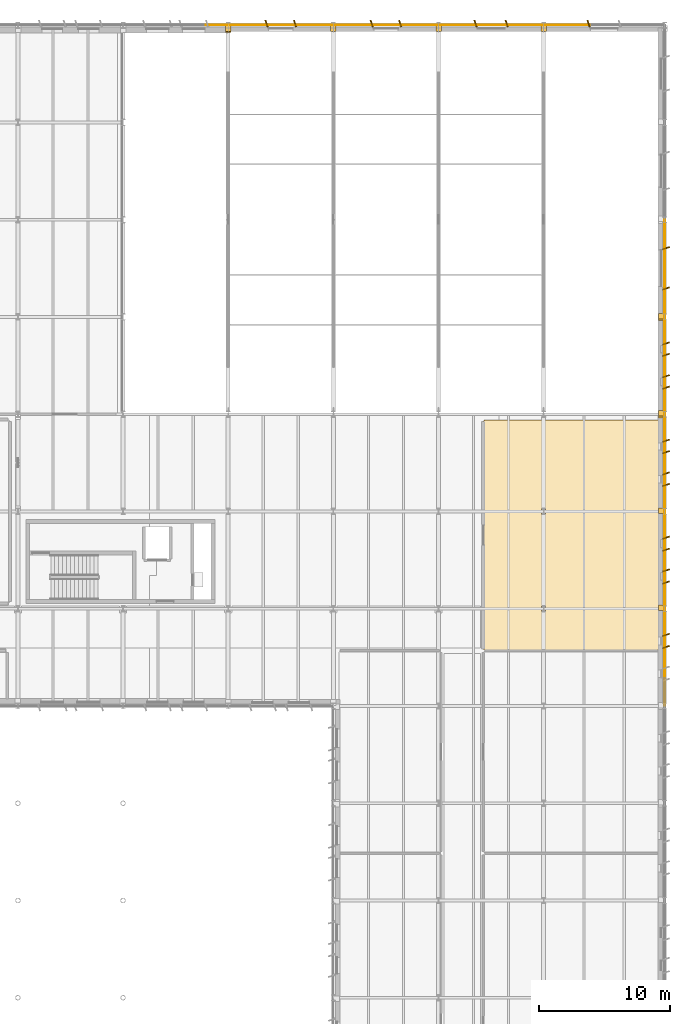
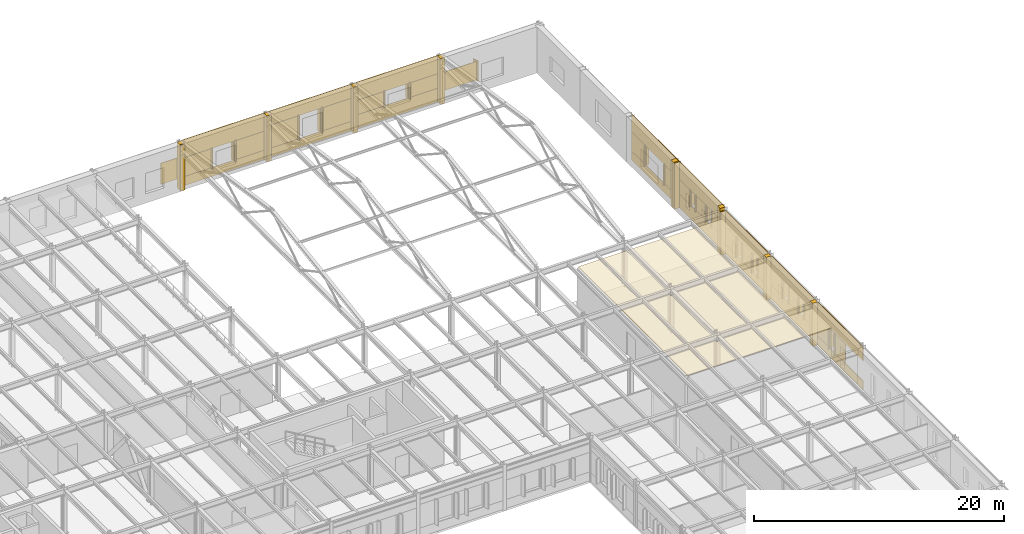
# One storey, part 74 of 75: 72 coverings.
"""IFC4 building model written with IfcOpenShell, lengths in metres."""

import ifcopenshell
import ifcopenshell.guid

model = None  # the IFC model being written
_history = None  # IfcOwnerHistory: only IFC2X3 demands one
_inside = {}  # id of a spatial element -> (the spatial element, [elements in it])
_under = {}  # id of a project, library or spatial element -> (it, [spatial elements below it])
_declared = {}  # id of a project -> (the project, [libraries it declares])
_typed = {}  # id of a type object -> (the type object, [elements of that type])
_made_of = {}  # id of a material, layer set ... -> (it, [elements and type objects made of it])


def new_model(schema):
    """Start an empty IFC model of exactly this schema.

    Asked for "IFC4X3", IfcOpenShell would pick the latest addendum, in which some entities
    have other attributes; the version numbers below select the first issue.
    IFC2X3 requires an IfcOwnerHistory on every rooted entity: one is made here for all.
    """
    global model, _history
    if schema == "IFC4X3":
        model = ifcopenshell.file(schema_version=(4, 3, 0, 0))
    else:
        model = ifcopenshell.file(schema=schema)
    _inside.clear()
    _under.clear()
    _declared.clear()
    _typed.clear()
    _made_of.clear()
    _history = None
    if model.schema == "IFC2X3":
        org = make("IfcOrganization", Name="unknown")
        user = make(
            "IfcPersonAndOrganization",
            ThePerson=make("IfcPerson", FamilyName="unknown"),
            TheOrganization=org,
        )
        app = make(
            "IfcApplication",
            ApplicationDeveloper=org,
            Version="unknown",
            ApplicationFullName="unknown",
            ApplicationIdentifier="unknown",
        )
        _history = make(
            "IfcOwnerHistory",
            OwningUser=user,
            OwningApplication=app,
            ChangeAction="ADDED",
            CreationDate=0,
        )
    return model


def make(cls, **values):
    """One entity of the class cls with the attributes given. An attribute that is None is left unset."""
    return model.create_entity(
        cls, **{name: value for name, value in values.items() if value is not None}
    )


def rooted(cls, **values):
    """An entity with a GlobalId (a new one), such as an element, a storey or a relation."""
    return make(cls, GlobalId=ifcopenshell.guid.new(), OwnerHistory=_history, **values)


def si_unit(unit_type, name, prefix=None):
    """IfcSIUnit, for example si_unit("LENGTHUNIT", "METRE", prefix="MILLI")."""
    return make("IfcSIUnit", UnitType=unit_type, Prefix=prefix, Name=name)


def assignment(units):
    """IfcUnitAssignment: the units of a project."""
    return None if units is None else make("IfcUnitAssignment", Units=units)


def point(xyz):
    """IfcCartesianPoint."""
    return None if xyz is None else make("IfcCartesianPoint", Coordinates=xyz)


def direction(xyz):
    """IfcDirection."""
    return None if xyz is None else make("IfcDirection", DirectionRatios=xyz)


def frame(location, z_axis=None, x_axis=None):
    """IfcAxis2Placement3D, a coordinate frame: its origin and axes. An axis left out is left unset."""
    return make(
        "IfcAxis2Placement3D",
        Location=point(location),
        Axis=direction(z_axis),
        RefDirection=direction(x_axis),
    )


def frame_2d(location, x_axis=None):
    """IfcAxis2Placement2D, a coordinate frame in the plane: its origin and x axis."""
    return make(
        "IfcAxis2Placement2D", Location=point(location), RefDirection=direction(x_axis)
    )


def origin():
    """The frame at (0, 0, 0) with its axes left unset."""
    return frame((0.0, 0.0, 0.0))


def origin_2d():
    """The frame at (0, 0) in the plane with its x axis left unset."""
    return frame_2d((0.0, 0.0))


def place(relative_to, where):
    """IfcLocalPlacement: puts the frame where relative to a parent placement (None: the world)."""
    return make(
        "IfcLocalPlacement", PlacementRelTo=relative_to, RelativePlacement=where
    )


def context(
    kind, dimensions, precision=None, world=None, true_north=None, identifier=None
):
    """IfcGeometricRepresentationContext, for example the 3D "Model" context."""
    return make(
        "IfcGeometricRepresentationContext",
        ContextIdentifier=identifier,
        ContextType=kind,
        CoordinateSpaceDimension=dimensions,
        Precision=precision,
        WorldCoordinateSystem=world,
        TrueNorth=true_north,
    )


def subcontext(parent, identifier, kind, view, scale=None):
    """IfcGeometricRepresentationSubContext, for example "Body" below "Model"."""
    return make(
        "IfcGeometricRepresentationSubContext",
        ContextIdentifier=identifier,
        ContextType=kind,
        ParentContext=parent,
        TargetScale=scale,
        TargetView=view,
    )


def project(units=None, contexts=None):
    """IfcProject with its units and contexts."""
    return rooted(
        "IfcProject",
        Name="project",
        RepresentationContexts=contexts,
        UnitsInContext=assignment(units),
    )


def spatial(cls, under=None, at=None, **own):
    """A site, building, storey or space (cls), placed at a placement, below another one or the project."""
    s = rooted(cls, ObjectPlacement=at, **own)
    if under is not None:
        _under.setdefault(under.id(), (under, []))[1].append(s)
    return s


def polyline(points):
    """IfcPolyline through the points."""
    return make("IfcPolyline", Points=[point(p) for p in points])


def profile(cls, at=None, kind="AREA", **sizes):
    """A parametric profile (cls). Its sizes go by their IFC names, for example OverallWidth=200.0."""
    return make(cls, ProfileType=kind, Position=at, **sizes)


def rectangle(**sizes):
    """IfcRectangleProfileDef."""
    return profile("IfcRectangleProfileDef", **sizes)


def outline(outer, holes=None, kind="AREA"):
    """IfcArbitraryClosedProfileDef: a profile drawn as a closed curve; with holes, ...WithVoids."""
    if holes is None:
        return make("IfcArbitraryClosedProfileDef", ProfileType=kind, OuterCurve=outer)
    return make(
        "IfcArbitraryProfileDefWithVoids",
        ProfileType=kind,
        OuterCurve=outer,
        InnerCurves=holes,
    )


def extrude(swept, where, along, depth):
    """IfcExtrudedAreaSolid: the profile swept, set in the frame where, extruded along a direction by depth."""
    return make(
        "IfcExtrudedAreaSolid",
        SweptArea=swept,
        Position=where,
        ExtrudedDirection=direction(along),
        Depth=depth,
    )


def shape(context_of_items, identifier, shape_type, items):
    """IfcShapeRepresentation: the items that make up one representation, for example the "Body"."""
    return make(
        "IfcShapeRepresentation",
        ContextOfItems=context_of_items,
        RepresentationIdentifier=identifier,
        RepresentationType=shape_type,
        Items=items,
    )


def material(Name=None, Category=None):
    """IfcMaterial."""
    return make("IfcMaterial", Name=Name, Category=Category)


def layer(
    of_material, thickness, ventilated=None, Name=None, Category=None, Priority=None
):
    """IfcMaterialLayer: one layer of a wall or slab, of a material (None: an air gap)."""
    return make(
        "IfcMaterialLayer",
        Material=of_material,
        LayerThickness=thickness,
        IsVentilated=ventilated,
        Name=Name,
        Category=Category,
        Priority=Priority,
    )


def layer_set(layers, Name=None):
    """IfcMaterialLayerSet."""
    return make("IfcMaterialLayerSet", MaterialLayers=layers, LayerSetName=Name)


def made_of(thing, what):
    """Note that an element or type object is made of a material, layer set ...; save() writes the relation."""
    if what is not None:
        _made_of.setdefault(what.id(), (what, []))[1].append(thing)
    return thing


def type_object(cls, material=None, **own):
    """A type object (cls), such as IfcWallType, which elements share."""
    return made_of(rooted(cls, **own), material)


def element(
    cls,
    number,
    at=None,
    inside=None,
    cuts=None,
    type_object=None,
    material=None,
    context=None,
    identifier="Body",
    shape_type=None,
    held_by="IfcProductDefinitionShape",
    body=None,
    shapes=None,
    **own,
):
    """One element of the class cls, such as IfcWall. Its Tag is "e" and its number.

    at: its placement. inside: the storey or other place that contains it. cuts: it is an
    opening in that element (IfcRelVoidsElement). A single representation is given by context,
    identifier, shape_type and body (its items); several are given by shapes. held_by: the class
    of the entity that holds the representations. save() writes the other relations.
    """
    e = rooted(cls, Tag="e%d" % number, ObjectPlacement=at, **own)
    if body is not None:
        shapes = [shape(context, identifier, shape_type, body)]
    if shapes is not None:
        e.Representation = make(held_by, Representations=shapes)
    if inside is not None:
        _inside.setdefault(inside.id(), (inside, []))[1].append(e)
    if cuts is not None:
        rooted(
            "IfcRelVoidsElement", RelatingBuildingElement=cuts, RelatedOpeningElement=e
        )
    if type_object is not None:
        _typed.setdefault(type_object.id(), (type_object, []))[1].append(e)
    return made_of(e, material)


def aggregate(whole, parts):
    """IfcRelAggregates: a whole, such as a stair, and the parts it consists of."""
    return rooted("IfcRelAggregates", RelatingObject=whole, RelatedObjects=parts)


def save(model, path):
    """Write the relations noted so far, then the file.

    IfcRelAggregates (storeys below a building ...), IfcRelContainedInSpatialStructure (elements
    in a storey), IfcRelDefinesByType, IfcRelAssociatesMaterial and IfcRelDeclares: one each for
    every whole, place, type object, material and project.
    """
    for whole, parts in _under.values():
        aggregate(whole, parts)
    for where, things in _inside.values():
        rooted(
            "IfcRelContainedInSpatialStructure",
            RelatedElements=things,
            RelatingStructure=where,
        )
    for kind, things in _typed.values():
        rooted("IfcRelDefinesByType", RelatedObjects=things, RelatingType=kind)
    for what, things in _made_of.values():
        rooted("IfcRelAssociatesMaterial", RelatedObjects=things, RelatingMaterial=what)
    for by, libraries in _declared.values():
        rooted("IfcRelDeclares", RelatingContext=by, RelatedDefinitions=libraries)
    model.write(path)


model = new_model("IFC4")

# Units and contexts
model_context = context("Model", 3, precision=1e-05, world=origin(), true_north=direction((0.0, 1.0)))
body_context = subcontext(model_context, "Body", "Model", "MODEL_VIEW")
ifc_project = project(units=[si_unit("LENGTHUNIT", "METRE"), si_unit("AREAUNIT", "SQUARE_METRE"), si_unit("VOLUMEUNIT", "CUBIC_METRE"), si_unit("PLANEANGLEUNIT", "RADIAN"), si_unit("MASSUNIT", "GRAM", prefix="KILO")], contexts=[model_context])

# Site, building, storey
site_placement = place(None, origin())
site = spatial("IfcSite", under=ifc_project, at=site_placement, CompositionType="ELEMENT")
building_placement = place(site_placement, origin())
building = spatial("IfcBuilding", under=site, at=building_placement, Name="Valkorina Park Police Headquarters", CompositionType="ELEMENT")
storey_placement = place(building_placement, frame((0.0, 0.0, 5.39990234375)))
storey = spatial("IfcBuildingStorey", under=building, at=storey_placement, Name="L02", CompositionType="ELEMENT", Elevation=5.39990234375)

# Coverings
ifc_material_1 = material(Name="Acoustic mineral board")
ifc_layer_1 = layer(ifc_material_1, 0.02490234375)
ifc_layer_set_1 = layer_set([ifc_layer_1], Name="Acoustic mineral board")
covering_type_1 = type_object("IfcCoveringType", Name="COV-CEILING-ACOUST", PredefinedType="CEILING", material=ifc_layer_set_1)
covering_1_placement = place(storey_placement, frame((0.0, 0.0, 3.625)))
element("IfcCovering", 1, at=covering_1_placement, inside=storey, type_object=covering_type_1, Name="High-Density Forensic Evidence Vault 2 Acoustic Suspended Ceiling", PredefinedType="CEILING", context=body_context, shape_type="SweptSolid", body=[
    extrude(outline(polyline([(161.55859375, 63.50439453125), (161.5595703125, 63.51220703125), (161.56005859375, 63.52001953125), (161.56005859375, 80.8798828125), (161.5595703125, 80.8876953125), (161.55859375, 80.8955078125), (161.556640625, 80.9033203125), (161.553955078125, 80.91064453125), (161.550537109375, 80.917724609375), (161.54638671875, 80.92431640625), (161.541748046875, 80.930908203125), (161.53662109375, 80.9365234375), (161.53076171875, 80.94189453125), (161.5244140625, 80.946533203125), (161.517578125, 80.95068359375), (161.510498046875, 80.953857421875), (161.503173828125, 80.95654296875), (161.49560546875, 80.95849609375), (161.48779296875, 80.959716796875), (161.47998046875, 80.9599609375), (148.320068359375, 80.9599609375), (148.312255859375, 80.959716796875), (148.304443359375, 80.95849609375), (148.296875, 80.95654296875), (148.289306640625, 80.953857421875), (148.2822265625, 80.95068359375), (148.275634765625, 80.946533203125), (148.269287109375, 80.94189453125), (148.263427734375, 80.9365234375), (148.25830078125, 80.930908203125), (148.25341796875, 80.92431640625), (148.24951171875, 80.917724609375), (148.24609375, 80.91064453125), (148.243408203125, 80.9033203125), (148.241455078125, 80.8955078125), (148.240478515625, 80.8876953125), (148.239990234375, 80.8798828125), (148.239990234375, 63.52001953125), (148.240478515625, 63.51220703125), (148.241455078125, 63.50439453125), (148.243408203125, 63.496826171875), (148.24609375, 63.489501953125), (148.24951171875, 63.482421875), (148.25341796875, 63.4755859375), (148.25830078125, 63.46923828125), (148.263427734375, 63.46337890625), (148.269287109375, 63.458251953125), (148.275634765625, 63.45361328125), (148.2822265625, 63.449462890625), (148.289306640625, 63.446044921875), (148.296875, 63.443359375), (148.304443359375, 63.44140625), (148.312255859375, 63.4404296875), (148.320068359375, 63.43994140625), (161.47998046875, 63.43994140625), (161.48779296875, 63.4404296875), (161.49560546875, 63.44140625), (161.503173828125, 63.443359375), (161.510498046875, 63.446044921875), (161.517578125, 63.449462890625), (161.5244140625, 63.45361328125), (161.53076171875, 63.458251953125), (161.53662109375, 63.46337890625), (161.541748046875, 63.46923828125), (161.54638671875, 63.4755859375), (161.550537109375, 63.482421875), (161.553955078125, 63.489501953125), (161.556640625, 63.496826171875), (161.55859375, 63.50439453125)]), holes=[polyline([(152.949951171875, 66.375), (152.64990234375, 66.375), (152.64990234375, 66.824951171875), (152.949951171875, 66.824951171875), (152.949951171875, 66.375)]), polyline([(152.949951171875, 73.77490234375), (152.64990234375, 73.77490234375), (152.64990234375, 74.22509765625), (152.949951171875, 74.22509765625), (152.949951171875, 73.77490234375)])]), origin(), (0.0, 0.0, 1.0), 0.025146484375),
])
ifc_material_2 = material(Name="Precast concrete C40/50", Category="concrete")
ifc_layer_2 = layer(ifc_material_2, 0.044921875)
ifc_layer_set_2 = layer_set([ifc_layer_2], Name="Precast concrete C40/50")
covering_type_2 = type_object("IfcCoveringType", Name="COV-CLAD-DOLOMITE", PredefinedType="CLADDING", material=ifc_layer_set_2)
covering_2_placement = place(storey_placement, frame((128.81005859375, 110.7099609375, 0.0), z_axis=(0.0, 0.0, 1.0), x_axis=(1.0, 0.0, 0.0)))
element("IfcCovering", 2, at=covering_2_placement, inside=storey, type_object=covering_type_2, Name="L02 Exterior Joint Closure Pilaster B 1366", PredefinedType="CLADDING", context=body_context, shape_type="SweptSolid", body=[
    extrude(rectangle(XDim=0.419921875, YDim=0.52197265625, at=origin_2d()), origin(), (0.0, 0.0, 1.0), 4.5),
])
covering_3_placement = place(storey_placement, frame((127.08251953125, 111.014892578125, 0.8701171875), z_axis=(0.0, 0.0, 1.0), x_axis=(1.0, 0.0, 0.0)))
element("IfcCovering", 3, at=covering_3_placement, inside=storey, type_object=covering_type_2, Name="L02 Calm Concrete Base Slot Pier 1375", PredefinedType="CLADDING", context=body_context, shape_type="SweptSolid", body=[
    extrude(rectangle(XDim=1.697509765625, YDim=0.044921875, at=frame_2d((0.8486328125, 0.0))), origin(), (0.0, 0.0, 1.0), 2.06005859375),
])
for number, where, z_axis, x_axis, name in (
    (4, (128.7900390625, 110.75, 0.0), (0.0, 0.0, 1.0), (1.0, 0.0, 0.0), "L02 Exterior Joint Closure Pilaster A 1376"),
    (5, (136.81005859375, 110.75, 0.0), (0.0, 0.0, 1.0), (1.0, 0.0, 0.0), "L02 Exterior Joint Closure Pilaster B 1377"),
):
    element("IfcCovering", number, at=place(storey_placement, frame(where, z_axis=z_axis, x_axis=x_axis)), inside=storey, type_object=covering_type_2, Name=name, PredefinedType="CLADDING", context=body_context, shape_type="SweptSolid", body=[
        extrude(rectangle(XDim=0.419921875, YDim=0.449951171875, at=origin_2d()), origin(), (0.0, 0.0, 1.0), 4.5),
    ])
for number, where, z_axis, x_axis, name in (
    (6, (131.715087890625, 111.1201171875, 0.780029296875), (0.0, 0.0, 1.0), (-0.317304656405, 0.948323655206, 0.0), "Slanted 18.5-deg Precast Window Slot Fin 1378"),
    (7, (133.885009765625, 111.1201171875, 0.780029296875), (0.0, 0.0, 1.0), (-0.317304656405, 0.948323655206, 0.0), "Slanted 18.5-deg Precast Window Slot Fin 1379"),
):
    element("IfcCovering", number, at=place(storey_placement, frame(where, z_axis=z_axis, x_axis=x_axis)), inside=storey, type_object=covering_type_2, Name=name, PredefinedType="CLADDING", context=body_context, shape_type="SweptSolid", body=[
        extrude(rectangle(XDim=0.5400390625, YDim=0.090087890625, at=origin_2d()), origin(), (0.0, 0.0, 1.0), 2.0400390625),
    ])
covering_4_placement = place(storey_placement, frame((128.820068359375, 111.014892578125, 0.0), z_axis=(0.0, 0.0, 1.0), x_axis=(1.0, 0.0, 0.0)))
element("IfcCovering", 8, at=covering_4_placement, inside=storey, type_object=covering_type_2, Name="L02 Calm Concrete Base Sill Spandrel 1380", PredefinedType="CLADDING", context=body_context, shape_type="SweptSolid", body=[
    extrude(rectangle(XDim=7.9599609375, YDim=0.044921875, at=frame_2d((3.97998046875, 0.0))), origin(), (0.0, 0.0, 1.0), 0.8701171875),
])
covering_5_placement = place(storey_placement, frame((128.820068359375, 111.014892578125, 2.72998046875), z_axis=(0.0, 0.0, 1.0), x_axis=(1.0, 0.0, 0.0)))
element("IfcCovering", 9, at=covering_5_placement, inside=storey, type_object=covering_type_2, Name="L02 Calm Concrete Base Lintel Spandrel 1381", PredefinedType="CLADDING", context=body_context, shape_type="SweptSolid", body=[
    extrude(rectangle(XDim=7.9599609375, YDim=0.044921875, at=frame_2d((3.97998046875, 0.0))), origin(), (0.0, 0.0, 1.0), 1.77001953125),
])
covering_6_placement = place(storey_placement, frame((128.820068359375, 111.014892578125, 0.8701171875), z_axis=(0.0, 0.0, 1.0), x_axis=(1.0, 0.0, 0.0)))
element("IfcCovering", 10, at=covering_6_placement, inside=storey, type_object=covering_type_2, Name="L02 Calm Concrete Base Slot Pier 1382", PredefinedType="CLADDING", context=body_context, shape_type="SweptSolid", body=[
    extrude(rectangle(XDim=3.0048828125, YDim=0.044921875, at=frame_2d((1.50244140625, 0.0))), origin(), (0.0, 0.0, 1.0), 1.85986328125),
])
covering_7_placement = place(storey_placement, frame((133.77490234375, 111.014892578125, 0.8701171875), z_axis=(0.0, 0.0, 1.0), x_axis=(1.0, 0.0, 0.0)))
element("IfcCovering", 11, at=covering_7_placement, inside=storey, type_object=covering_type_2, Name="L02 Calm Concrete Base Slot Pier 1383", PredefinedType="CLADDING", context=body_context, shape_type="SweptSolid", body=[
    extrude(rectangle(XDim=3.005126953125, YDim=0.044921875, at=frame_2d((1.50244140625, 0.0))), origin(), (0.0, 0.0, 1.0), 1.85986328125),
])
covering_8_placement = place(storey_placement, frame((144.81005859375, 110.75, 0.0), z_axis=(0.0, 0.0, 1.0), x_axis=(1.0, 0.0, 0.0)))
element("IfcCovering", 12, at=covering_8_placement, inside=storey, type_object=covering_type_2, Name="L02 Exterior Joint Closure Pilaster B 1384", PredefinedType="CLADDING", context=body_context, shape_type="SweptSolid", body=[
    extrude(rectangle(XDim=0.419921875, YDim=0.449951171875, at=origin_2d()), origin(), (0.0, 0.0, 1.0), 4.5),
])
for number, where, z_axis, x_axis, name in (
    (13, (139.715087890625, 111.1201171875, 0.780029296875), (0.0, 0.0, 1.0), (-0.317304656405, 0.948323655206, 0.0), "Slanted 18.5-deg Precast Window Slot Fin 1385"),
    (14, (141.885009765625, 111.1201171875, 0.780029296875), (0.0, 0.0, 1.0), (-0.317304656405, 0.948323655206, 0.0), "Slanted 18.5-deg Precast Window Slot Fin 1386"),
):
    element("IfcCovering", number, at=place(storey_placement, frame(where, z_axis=z_axis, x_axis=x_axis)), inside=storey, type_object=covering_type_2, Name=name, PredefinedType="CLADDING", context=body_context, shape_type="SweptSolid", body=[
        extrude(rectangle(XDim=0.5400390625, YDim=0.090087890625, at=origin_2d()), origin(), (0.0, 0.0, 1.0), 2.43994140625),
    ])
covering_9_placement = place(storey_placement, frame((136.820068359375, 111.014892578125, 0.0), z_axis=(0.0, 0.0, 1.0), x_axis=(1.0, 0.0, 0.0)))
element("IfcCovering", 15, at=covering_9_placement, inside=storey, type_object=covering_type_2, Name="L02 Calm Concrete Base Sill Spandrel 1387", PredefinedType="CLADDING", context=body_context, shape_type="SweptSolid", body=[
    extrude(rectangle(XDim=7.9599609375, YDim=0.044921875, at=frame_2d((3.97998046875, 0.0))), origin(), (0.0, 0.0, 1.0), 0.8701171875),
])
covering_10_placement = place(storey_placement, frame((136.820068359375, 111.014892578125, 3.130126953125), z_axis=(0.0, 0.0, 1.0), x_axis=(1.0, 0.0, 0.0)))
element("IfcCovering", 16, at=covering_10_placement, inside=storey, type_object=covering_type_2, Name="L02 Calm Concrete Base Lintel Spandrel 1388", PredefinedType="CLADDING", context=body_context, shape_type="SweptSolid", body=[
    extrude(rectangle(XDim=7.9599609375, YDim=0.044921875, at=frame_2d((3.97998046875, 0.0))), origin(), (0.0, 0.0, 1.0), 1.369873046875),
])
covering_11_placement = place(storey_placement, frame((136.820068359375, 111.014892578125, 0.8701171875), z_axis=(0.0, 0.0, 1.0), x_axis=(1.0, 0.0, 0.0)))
element("IfcCovering", 17, at=covering_11_placement, inside=storey, type_object=covering_type_2, Name="L02 Calm Concrete Base Slot Pier 1389", PredefinedType="CLADDING", context=body_context, shape_type="SweptSolid", body=[
    extrude(rectangle(XDim=3.0048828125, YDim=0.044921875, at=frame_2d((1.50244140625, 0.0))), origin(), (0.0, 0.0, 1.0), 2.260009765625),
])
covering_12_placement = place(storey_placement, frame((141.77490234375, 111.014892578125, 0.8701171875), z_axis=(0.0, 0.0, 1.0), x_axis=(1.0, 0.0, 0.0)))
element("IfcCovering", 18, at=covering_12_placement, inside=storey, type_object=covering_type_2, Name="L02 Calm Concrete Base Slot Pier 1390", PredefinedType="CLADDING", context=body_context, shape_type="SweptSolid", body=[
    extrude(rectangle(XDim=3.005126953125, YDim=0.044921875, at=frame_2d((1.50244140625, 0.0))), origin(), (0.0, 0.0, 1.0), 2.260009765625),
])
covering_13_placement = place(storey_placement, frame((152.81005859375, 110.75, 0.0), z_axis=(0.0, 0.0, 1.0), x_axis=(1.0, 0.0, 0.0)))
element("IfcCovering", 19, at=covering_13_placement, inside=storey, type_object=covering_type_2, Name="L02 Exterior Joint Closure Pilaster B 1391", PredefinedType="CLADDING", context=body_context, shape_type="SweptSolid", body=[
    extrude(rectangle(XDim=0.419921875, YDim=0.449951171875, at=origin_2d()), origin(), (0.0, 0.0, 1.0), 4.5),
])
for number, where, z_axis, x_axis, name in (
    (20, (147.614990234375, 111.1201171875, 1.22998046875), (0.0, 0.0, 1.0), (-0.317304656405, 0.948323655206, 0.0), "Slanted 18.5-deg Precast Window Slot Fin 1392"),
    (21, (149.985107421875, 111.1201171875, 1.22998046875), (0.0, 0.0, 1.0), (-0.317304656405, 0.948323655206, 0.0), "Slanted 18.5-deg Precast Window Slot Fin 1393"),
):
    element("IfcCovering", number, at=place(storey_placement, frame(where, z_axis=z_axis, x_axis=x_axis)), inside=storey, type_object=covering_type_2, Name=name, PredefinedType="CLADDING", context=body_context, shape_type="SweptSolid", body=[
        extrude(rectangle(XDim=0.5400390625, YDim=0.090087890625, at=origin_2d()), origin(), (0.0, 0.0, 1.0), 1.590087890625),
    ])
covering_14_placement = place(storey_placement, frame((144.820068359375, 111.014892578125, 0.0), z_axis=(0.0, 0.0, 1.0), x_axis=(1.0, 0.0, 0.0)))
element("IfcCovering", 22, at=covering_14_placement, inside=storey, type_object=covering_type_2, Name="L02 Calm Concrete Base Sill Spandrel 1394", PredefinedType="CLADDING", context=body_context, shape_type="SweptSolid", body=[
    extrude(rectangle(XDim=7.9599609375, YDim=0.044921875, at=frame_2d((3.97998046875, 0.0))), origin(), (0.0, 0.0, 1.0), 1.320068359375),
])
covering_15_placement = place(storey_placement, frame((144.820068359375, 111.014892578125, 2.72998046875), z_axis=(0.0, 0.0, 1.0), x_axis=(1.0, 0.0, 0.0)))
element("IfcCovering", 23, at=covering_15_placement, inside=storey, type_object=covering_type_2, Name="L02 Calm Concrete Base Lintel Spandrel 1395", PredefinedType="CLADDING", context=body_context, shape_type="SweptSolid", body=[
    extrude(rectangle(XDim=7.9599609375, YDim=0.044921875, at=frame_2d((3.97998046875, 0.0))), origin(), (0.0, 0.0, 1.0), 1.77001953125),
])
for number, where, z_axis, x_axis, name in (
    (24, (144.820068359375, 111.014892578125, 1.320068359375), (0.0, 0.0, 1.0), (1.0, 0.0, 0.0), "L02 Calm Concrete Base Slot Pier 1396"),
    (25, (149.875, 111.014892578125, 1.320068359375), (0.0, 0.0, 1.0), (1.0, 0.0, 0.0), "L02 Calm Concrete Base Slot Pier 1397"),
):
    element("IfcCovering", number, at=place(storey_placement, frame(where, z_axis=z_axis, x_axis=x_axis)), inside=storey, type_object=covering_type_2, Name=name, PredefinedType="CLADDING", context=body_context, shape_type="SweptSolid", body=[
        extrude(rectangle(XDim=2.905029296875, YDim=0.044921875, at=frame_2d((1.45263671875, 0.0))), origin(), (0.0, 0.0, 1.0), 1.409912109375),
    ])
covering_16_placement = place(storey_placement, frame((156.215087890625, 111.1201171875, 0.7802734375), z_axis=(0.0, 0.0, 1.0), x_axis=(-0.317304656405, 0.948323655206, 0.0)))
element("IfcCovering", 26, at=covering_16_placement, inside=storey, type_object=covering_type_2, Name="Slanted 18.5-deg Precast Window Slot Fin 1399", PredefinedType="CLADDING", context=body_context, shape_type="SweptSolid", body=[
    extrude(rectangle(XDim=0.5400390625, YDim=0.090087890625, at=origin_2d()), origin(), (0.0, 0.0, 1.0), 1.989990234375),
])
covering_17_placement = place(storey_placement, frame((152.820068359375, 111.014892578125, 0.8701171875), z_axis=(0.0, 0.0, 1.0), x_axis=(1.0, 0.0, 0.0)))
element("IfcCovering", 27, at=covering_17_placement, inside=storey, type_object=covering_type_2, Name="L02 Calm Concrete Base Slot Pier 1403", PredefinedType="CLADDING", context=body_context, shape_type="SweptSolid", body=[
    extrude(rectangle(XDim=3.5048828125, YDim=0.044921875, at=frame_2d((1.75244140625, 0.0))), origin(), (0.0, 0.0, 1.0), 1.81005859375),
])
covering_18_placement = place(storey_placement, frame((161.75, 88.864990234375, 0.0), z_axis=(0.0, 0.0, 1.0), x_axis=(0.0, 1.0, 0.0)))
element("IfcCovering", 28, at=covering_18_placement, inside=storey, type_object=covering_type_2, Name="L02 Exterior Joint Closure Pilaster B 1420", PredefinedType="CLADDING", context=body_context, shape_type="SweptSolid", body=[
    extrude(rectangle(XDim=0.419921875, YDim=0.449951171875, at=origin_2d()), origin(), (0.0, 0.0, 1.0), 4.5),
])
for number, where, z_axis, x_axis, name in (
    (29, (162.1201171875, 94.034912109375, 0.780029296875), (0.0, 0.0, 1.0), (0.948323655206, 0.317304656405, 0.0), "Slanted 18.5-deg Precast Window Slot Fin 1421"),
    (30, (162.1201171875, 90.965087890625, 0.780029296875), (0.0, 0.0, 1.0), (0.948323655206, 0.317304656405, 0.0), "Slanted 18.5-deg Precast Window Slot Fin 1422"),
):
    element("IfcCovering", number, at=place(storey_placement, frame(where, z_axis=z_axis, x_axis=x_axis)), inside=storey, type_object=covering_type_2, Name=name, PredefinedType="CLADDING", context=body_context, shape_type="SweptSolid", body=[
        extrude(rectangle(XDim=0.5400390625, YDim=0.090087890625, at=origin_2d()), origin(), (0.0, 0.0, 1.0), 2.0400390625),
    ])
covering_19_placement = place(storey_placement, frame((162.014892578125, 96.179931640625, 0.0), z_axis=(0.0, 0.0, 1.0), x_axis=(0.0, -1.0, 0.0)))
element("IfcCovering", 31, at=covering_19_placement, inside=storey, type_object=covering_type_2, Name="L02 Calm Concrete Base Sill Spandrel 1423", PredefinedType="CLADDING", context=body_context, shape_type="SweptSolid", body=[
    extrude(rectangle(XDim=7.35986328125, YDim=0.044921875, at=frame_2d((3.679931640625, 0.0))), origin(), (0.0, 0.0, 1.0), 0.8701171875),
])
covering_20_placement = place(storey_placement, frame((162.014892578125, 96.179931640625, 2.72998046875), z_axis=(0.0, 0.0, 1.0), x_axis=(0.0, -1.0, 0.0)))
element("IfcCovering", 32, at=covering_20_placement, inside=storey, type_object=covering_type_2, Name="L02 Calm Concrete Base Lintel Spandrel 1424", PredefinedType="CLADDING", context=body_context, shape_type="SweptSolid", body=[
    extrude(rectangle(XDim=7.35986328125, YDim=0.044921875, at=frame_2d((3.679931640625, 0.0))), origin(), (0.0, 0.0, 1.0), 1.77001953125),
])
for number, where, z_axis, x_axis, name in (
    (33, (162.014892578125, 96.179931640625, 0.8701171875), (0.0, 0.0, 1.0), (0.0, -1.0, 0.0), "L02 Calm Concrete Base Slot Pier 1425"),
    (34, (162.014892578125, 91.074951171875, 0.8701171875), (0.0, 0.0, 1.0), (0.0, -1.0, 0.0), "L02 Calm Concrete Base Slot Pier 1426"),
):
    element("IfcCovering", number, at=place(storey_placement, frame(where, z_axis=z_axis, x_axis=x_axis)), inside=storey, type_object=covering_type_2, Name=name, PredefinedType="CLADDING", context=body_context, shape_type="SweptSolid", body=[
        extrude(rectangle(XDim=2.2548828125, YDim=0.044921875, at=frame_2d((1.12744140625, 0.0))), origin(), (0.0, 0.0, 1.0), 1.85986328125),
    ])
for number, where, z_axis, x_axis, name in (
    (35, (161.75, 88.735107421875, 0.0), (0.0, 0.0, 1.0), (0.0, 1.0, 0.0), "L02 Exterior Joint Closure Pilaster A 1427"),
    (36, (161.75, 81.465087890625, 0.0), (0.0, 0.0, 1.0), (0.0, 1.0, 0.0), "L02 Exterior Joint Closure Pilaster B 1428"),
):
    element("IfcCovering", number, at=place(storey_placement, frame(where, z_axis=z_axis, x_axis=x_axis)), inside=storey, type_object=covering_type_2, Name=name, PredefinedType="CLADDING", context=body_context, shape_type="SweptSolid", body=[
        extrude(rectangle(XDim=0.419921875, YDim=0.449951171875, at=origin_2d()), origin(), (0.0, 0.0, 1.0), 4.5),
    ])
for number, where, z_axis, x_axis, name in (
    (37, (162.1201171875, 86.782470703125, 1.22998046875), (0.0, 0.0, 1.0), (0.948323655206, 0.317304656405, 0.0), "Slanted 18.5-deg Precast Window Slot Fin 1429"),
    (38, (162.1201171875, 85.912353515625, 1.22998046875), (0.0, 0.0, 1.0), (0.948323655206, 0.317304656405, 0.0), "Slanted 18.5-deg Precast Window Slot Fin 1430"),
    (39, (162.1201171875, 84.28759765625, 1.22998046875), (0.0, 0.0, 1.0), (0.948323655206, 0.317304656405, 0.0), "Slanted 18.5-deg Precast Window Slot Fin 1431"),
    (40, (162.1201171875, 83.41748046875, 1.22998046875), (0.0, 0.0, 1.0), (0.948323655206, 0.317304656405, 0.0), "Slanted 18.5-deg Precast Window Slot Fin 1432"),
):
    element("IfcCovering", number, at=place(storey_placement, frame(where, z_axis=z_axis, x_axis=x_axis)), inside=storey, type_object=covering_type_2, Name=name, PredefinedType="CLADDING", context=body_context, shape_type="SweptSolid", body=[
        extrude(rectangle(XDim=0.5400390625, YDim=0.090087890625, at=origin_2d()), origin(), (0.0, 0.0, 1.0), 1.639892578125),
    ])
covering_21_placement = place(storey_placement, frame((162.014892578125, 88.780029296875, 0.0), z_axis=(0.0, 0.0, 1.0), x_axis=(0.0, -1.0, 0.0)))
element("IfcCovering", 41, at=covering_21_placement, inside=storey, type_object=covering_type_2, Name="L02 Calm Concrete Base Sill Spandrel 1433", PredefinedType="CLADDING", context=body_context, shape_type="SweptSolid", body=[
    extrude(rectangle(XDim=7.360107421875, YDim=0.044921875, at=frame_2d((3.68017578125, 0.0))), origin(), (0.0, 0.0, 1.0), 1.320068359375),
])
covering_22_placement = place(storey_placement, frame((162.014892578125, 88.780029296875, 2.780029296875), z_axis=(0.0, 0.0, 1.0), x_axis=(0.0, -1.0, 0.0)))
element("IfcCovering", 42, at=covering_22_placement, inside=storey, type_object=covering_type_2, Name="L02 Calm Concrete Base Lintel Spandrel 1434", PredefinedType="CLADDING", context=body_context, shape_type="SweptSolid", body=[
    extrude(rectangle(XDim=7.360107421875, YDim=0.044921875, at=frame_2d((3.68017578125, 0.0))), origin(), (0.0, 0.0, 1.0), 1.719970703125),
])
covering_23_placement = place(storey_placement, frame((162.014892578125, 88.780029296875, 1.320068359375), z_axis=(0.0, 0.0, 1.0), x_axis=(0.0, -1.0, 0.0)))
element("IfcCovering", 43, at=covering_23_placement, inside=storey, type_object=covering_type_2, Name="L02 Calm Concrete Base Slot Pier 1435", PredefinedType="CLADDING", context=body_context, shape_type="SweptSolid", body=[
    extrude(rectangle(XDim=2.107666015625, YDim=0.044921875, at=frame_2d((1.0537109375, 0.0))), origin(), (0.0, 0.0, 1.0), 1.4599609375),
])
covering_24_placement = place(storey_placement, frame((162.014892578125, 86.0224609375, 1.320068359375), z_axis=(0.0, 0.0, 1.0), x_axis=(0.0, -1.0, 0.0)))
element("IfcCovering", 44, at=covering_24_placement, inside=storey, type_object=covering_type_2, Name="L02 Calm Concrete Base Slot Pier 1436", PredefinedType="CLADDING", context=body_context, shape_type="SweptSolid", body=[
    extrude(rectangle(XDim=1.844970703125, YDim=0.044921875, at=frame_2d((0.92236328125, 0.0))), origin(), (0.0, 0.0, 1.0), 1.4599609375),
])
covering_25_placement = place(storey_placement, frame((162.014892578125, 83.527587890625, 1.320068359375), z_axis=(0.0, 0.0, 1.0), x_axis=(0.0, -1.0, 0.0)))
element("IfcCovering", 45, at=covering_25_placement, inside=storey, type_object=covering_type_2, Name="L02 Calm Concrete Base Slot Pier 1437", PredefinedType="CLADDING", context=body_context, shape_type="SweptSolid", body=[
    extrude(rectangle(XDim=2.107666015625, YDim=0.044921875, at=frame_2d((1.0537109375, 0.0))), origin(), (0.0, 0.0, 1.0), 1.4599609375),
])
for number, where, z_axis, x_axis, name in (
    (46, (161.75, 81.3349609375, 0.0), (0.0, 0.0, 1.0), (0.0, 1.0, 0.0), "L02 Exterior Joint Closure Pilaster A 1438"),
    (47, (161.75, 74.06494140625, 0.0), (0.0, 0.0, 1.0), (0.0, 1.0, 0.0), "L02 Exterior Joint Closure Pilaster B 1439"),
):
    element("IfcCovering", number, at=place(storey_placement, frame(where, z_axis=z_axis, x_axis=x_axis)), inside=storey, type_object=covering_type_2, Name=name, PredefinedType="CLADDING", context=body_context, shape_type="SweptSolid", body=[
        extrude(rectangle(XDim=0.419921875, YDim=0.449951171875, at=origin_2d()), origin(), (0.0, 0.0, 1.0), 4.199951171875),
    ])
for number, where, z_axis, x_axis, name in (
    (48, (162.1201171875, 79.38232421875, 0.7802734375), (0.0, 0.0, 1.0), (0.948323655206, 0.317304656405, 0.0), "Slanted 18.5-deg Precast Window Slot Fin 1440"),
    (49, (162.1201171875, 78.512451171875, 0.7802734375), (0.0, 0.0, 1.0), (0.948323655206, 0.317304656405, 0.0), "Slanted 18.5-deg Precast Window Slot Fin 1441"),
    (50, (162.1201171875, 76.8876953125, 0.7802734375), (0.0, 0.0, 1.0), (0.948323655206, 0.317304656405, 0.0), "Slanted 18.5-deg Precast Window Slot Fin 1442"),
    (51, (162.1201171875, 76.017578125, 0.7802734375), (0.0, 0.0, 1.0), (0.948323655206, 0.317304656405, 0.0), "Slanted 18.5-deg Precast Window Slot Fin 1443"),
):
    element("IfcCovering", number, at=place(storey_placement, frame(where, z_axis=z_axis, x_axis=x_axis)), inside=storey, type_object=covering_type_2, Name=name, PredefinedType="CLADDING", context=body_context, shape_type="SweptSolid", body=[
        extrude(rectangle(XDim=0.5400390625, YDim=0.090087890625, at=origin_2d()), origin(), (0.0, 0.0, 1.0), 1.989990234375),
    ])
covering_26_placement = place(storey_placement, frame((162.014892578125, 81.3798828125, 0.0), z_axis=(0.0, 0.0, 1.0), x_axis=(0.0, -1.0, 0.0)))
element("IfcCovering", 52, at=covering_26_placement, inside=storey, type_object=covering_type_2, Name="L02 Calm Concrete Base Sill Spandrel 1444", PredefinedType="CLADDING", context=body_context, shape_type="SweptSolid", body=[
    extrude(rectangle(XDim=7.35986328125, YDim=0.044921875, at=frame_2d((3.679931640625, 0.0))), origin(), (0.0, 0.0, 1.0), 0.8701171875),
])
covering_27_placement = place(storey_placement, frame((162.014892578125, 81.3798828125, 2.68017578125), z_axis=(0.0, 0.0, 1.0), x_axis=(0.0, -1.0, 0.0)))
element("IfcCovering", 53, at=covering_27_placement, inside=storey, type_object=covering_type_2, Name="L02 Calm Concrete Base Lintel Spandrel 1445", PredefinedType="CLADDING", context=body_context, shape_type="SweptSolid", body=[
    extrude(rectangle(XDim=7.35986328125, YDim=0.044921875, at=frame_2d((3.679931640625, 0.0))), origin(), (0.0, 0.0, 1.0), 1.52001953125),
])
covering_28_placement = place(storey_placement, frame((162.014892578125, 81.3798828125, 0.8701171875), z_axis=(0.0, 0.0, 1.0), x_axis=(0.0, -1.0, 0.0)))
element("IfcCovering", 54, at=covering_28_placement, inside=storey, type_object=covering_type_2, Name="L02 Calm Concrete Base Slot Pier 1446", PredefinedType="CLADDING", context=body_context, shape_type="SweptSolid", body=[
    extrude(rectangle(XDim=2.107421875, YDim=0.044921875, at=frame_2d((1.0537109375, 0.0))), origin(), (0.0, 0.0, 1.0), 1.81005859375),
])
covering_29_placement = place(storey_placement, frame((162.014892578125, 78.622314453125, 0.8701171875), z_axis=(0.0, 0.0, 1.0), x_axis=(0.0, -1.0, 0.0)))
element("IfcCovering", 55, at=covering_29_placement, inside=storey, type_object=covering_type_2, Name="L02 Calm Concrete Base Slot Pier 1447", PredefinedType="CLADDING", context=body_context, shape_type="SweptSolid", body=[
    extrude(rectangle(XDim=1.8447265625, YDim=0.044921875, at=frame_2d((0.92236328125, 0.0))), origin(), (0.0, 0.0, 1.0), 1.81005859375),
])
covering_30_placement = place(storey_placement, frame((162.014892578125, 76.127685546875, 0.8701171875), z_axis=(0.0, 0.0, 1.0), x_axis=(0.0, -1.0, 0.0)))
element("IfcCovering", 56, at=covering_30_placement, inside=storey, type_object=covering_type_2, Name="L02 Calm Concrete Base Slot Pier 1448", PredefinedType="CLADDING", context=body_context, shape_type="SweptSolid", body=[
    extrude(rectangle(XDim=2.107666015625, YDim=0.044921875, at=frame_2d((1.0537109375, 0.0))), origin(), (0.0, 0.0, 1.0), 1.81005859375),
])
covering_31_placement = place(storey_placement, frame((161.75, 66.6650390625, 0.0), z_axis=(0.0, 0.0, 1.0), x_axis=(0.0, 1.0, 0.0)))
element("IfcCovering", 57, at=covering_31_placement, inside=storey, type_object=covering_type_2, Name="L02 Exterior Joint Closure Pilaster B 1449", PredefinedType="CLADDING", context=body_context, shape_type="SweptSolid", body=[
    extrude(rectangle(XDim=0.419921875, YDim=0.449951171875, at=origin_2d()), origin(), (0.0, 0.0, 1.0), 4.199951171875),
])
for number, where, z_axis, x_axis, name in (
    (58, (162.1201171875, 72.00732421875, 1.22998046875), (0.0, 0.0, 1.0), (0.948323655206, 0.317304656405, 0.0), "Slanted 18.5-deg Precast Window Slot Fin 1450"),
    (59, (162.1201171875, 71.08740234375, 1.22998046875), (0.0, 0.0, 1.0), (0.948323655206, 0.317304656405, 0.0), "Slanted 18.5-deg Precast Window Slot Fin 1451"),
    (60, (162.1201171875, 69.5126953125, 1.22998046875), (0.0, 0.0, 1.0), (0.948323655206, 0.317304656405, 0.0), "Slanted 18.5-deg Precast Window Slot Fin 1452"),
    (61, (162.1201171875, 68.592529296875, 1.22998046875), (0.0, 0.0, 1.0), (0.948323655206, 0.317304656405, 0.0), "Slanted 18.5-deg Precast Window Slot Fin 1453"),
):
    element("IfcCovering", number, at=place(storey_placement, frame(where, z_axis=z_axis, x_axis=x_axis)), inside=storey, type_object=covering_type_2, Name=name, PredefinedType="CLADDING", context=body_context, shape_type="SweptSolid", body=[
        extrude(rectangle(XDim=0.5400390625, YDim=0.090087890625, at=origin_2d()), origin(), (0.0, 0.0, 1.0), 1.739990234375),
    ])
for number, where, z_axis, x_axis, name in (
    (62, (162.014892578125, 73.97998046875, 0.0), (0.0, 0.0, 1.0), (0.0, -1.0, 0.0), "L02 Calm Concrete Base Sill Spandrel 1454"),
    (63, (162.014892578125, 73.97998046875, 2.880126953125), (0.0, 0.0, 1.0), (0.0, -1.0, 0.0), "L02 Calm Concrete Base Lintel Spandrel 1455"),
):
    element("IfcCovering", number, at=place(storey_placement, frame(where, z_axis=z_axis, x_axis=x_axis)), inside=storey, type_object=covering_type_2, Name=name, PredefinedType="CLADDING", context=body_context, shape_type="SweptSolid", body=[
        extrude(rectangle(XDim=7.35986328125, YDim=0.044921875, at=frame_2d((3.679931640625, 0.0))), origin(), (0.0, 0.0, 1.0), 1.320068359375),
    ])
covering_32_placement = place(storey_placement, frame((162.014892578125, 73.97998046875, 1.320068359375), z_axis=(0.0, 0.0, 1.0), x_axis=(0.0, -1.0, 0.0)))
element("IfcCovering", 64, at=covering_32_placement, inside=storey, type_object=covering_type_2, Name="L02 Calm Concrete Base Slot Pier 1456", PredefinedType="CLADDING", context=body_context, shape_type="SweptSolid", body=[
    extrude(rectangle(XDim=2.08251953125, YDim=0.044921875, at=frame_2d((1.041259765625, 0.0))), origin(), (0.0, 0.0, 1.0), 1.56005859375),
])
covering_33_placement = place(storey_placement, frame((162.014892578125, 71.197509765625, 1.320068359375), z_axis=(0.0, 0.0, 1.0), x_axis=(0.0, -1.0, 0.0)))
element("IfcCovering", 65, at=covering_33_placement, inside=storey, type_object=covering_type_2, Name="L02 Calm Concrete Base Slot Pier 1457", PredefinedType="CLADDING", context=body_context, shape_type="SweptSolid", body=[
    extrude(rectangle(XDim=1.794921875, YDim=0.044921875, at=frame_2d((0.8974609375, 0.0))), origin(), (0.0, 0.0, 1.0), 1.56005859375),
])
covering_34_placement = place(storey_placement, frame((162.014892578125, 68.70263671875, 1.320068359375), z_axis=(0.0, 0.0, 1.0), x_axis=(0.0, -1.0, 0.0)))
element("IfcCovering", 66, at=covering_34_placement, inside=storey, type_object=covering_type_2, Name="L02 Calm Concrete Base Slot Pier 1458", PredefinedType="CLADDING", context=body_context, shape_type="SweptSolid", body=[
    extrude(rectangle(XDim=2.08251953125, YDim=0.044921875, at=frame_2d((1.041259765625, 0.0))), origin(), (0.0, 0.0, 1.0), 1.56005859375),
])
for number, where, z_axis, x_axis, name in (
    (67, (162.1201171875, 64.607421875, 0.7802734375), (0.0, 0.0, 1.0), (0.948323655206, 0.317304656405, 0.0), "Slanted 18.5-deg Precast Window Slot Fin 1460"),
    (68, (162.1201171875, 63.6875, 0.7802734375), (0.0, 0.0, 1.0), (0.948323655206, 0.317304656405, 0.0), "Slanted 18.5-deg Precast Window Slot Fin 1461"),
):
    element("IfcCovering", number, at=place(storey_placement, frame(where, z_axis=z_axis, x_axis=x_axis)), inside=storey, type_object=covering_type_2, Name=name, PredefinedType="CLADDING", context=body_context, shape_type="SweptSolid", body=[
        extrude(rectangle(XDim=0.5400390625, YDim=0.090087890625, at=origin_2d()), origin(), (0.0, 0.0, 1.0), 2.090087890625),
    ])
covering_35_placement = place(storey_placement, frame((162.014892578125, 66.580078125, 0.0), z_axis=(0.0, 0.0, 1.0), x_axis=(0.0, -1.0, 0.0)))
element("IfcCovering", 69, at=covering_35_placement, inside=storey, type_object=covering_type_2, Name="L02 Calm Concrete Base Sill Spandrel 1464", PredefinedType="CLADDING", context=body_context, shape_type="SweptSolid", body=[
    extrude(rectangle(XDim=7.360107421875, YDim=0.044921875, at=frame_2d((3.68017578125, 0.0))), origin(), (0.0, 0.0, 1.0), 0.8701171875),
])
covering_36_placement = place(storey_placement, frame((162.014892578125, 66.580078125, 2.780029296875), z_axis=(0.0, 0.0, 1.0), x_axis=(0.0, -1.0, 0.0)))
element("IfcCovering", 70, at=covering_36_placement, inside=storey, type_object=covering_type_2, Name="L02 Calm Concrete Base Lintel Spandrel 1465", PredefinedType="CLADDING", context=body_context, shape_type="SweptSolid", body=[
    extrude(rectangle(XDim=7.360107421875, YDim=0.044921875, at=frame_2d((3.68017578125, 0.0))), origin(), (0.0, 0.0, 1.0), 1.420166015625),
])
covering_37_placement = place(storey_placement, frame((162.014892578125, 66.580078125, 0.8701171875), z_axis=(0.0, 0.0, 1.0), x_axis=(0.0, -1.0, 0.0)))
element("IfcCovering", 71, at=covering_37_placement, inside=storey, type_object=covering_type_2, Name="L02 Calm Concrete Base Slot Pier 1466", PredefinedType="CLADDING", context=body_context, shape_type="SweptSolid", body=[
    extrude(rectangle(XDim=2.082763671875, YDim=0.044921875, at=frame_2d((1.04150390625, 0.0))), origin(), (0.0, 0.0, 1.0), 1.909912109375),
])
covering_38_placement = place(storey_placement, frame((162.014892578125, 63.79736328125, 0.8701171875), z_axis=(0.0, 0.0, 1.0), x_axis=(0.0, -1.0, 0.0)))
element("IfcCovering", 72, at=covering_38_placement, inside=storey, type_object=covering_type_2, Name="L02 Calm Concrete Base Slot Pier 1467", PredefinedType="CLADDING", context=body_context, shape_type="SweptSolid", body=[
    extrude(rectangle(XDim=1.794677734375, YDim=0.044921875, at=frame_2d((0.8974609375, 0.0))), origin(), (0.0, 0.0, 1.0), 1.909912109375),
])

save(model, "model.ifc")
